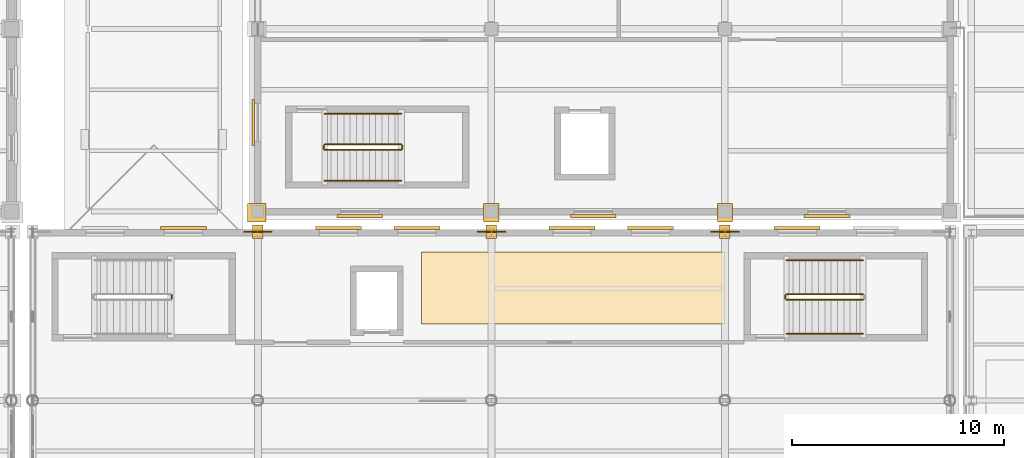
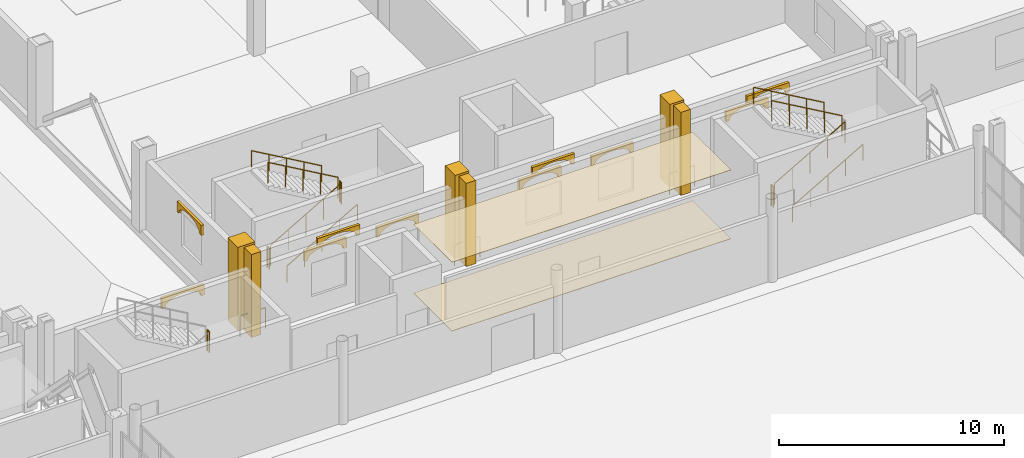
# One storey, part 146 of 156: 18 coverings, 15 railings.
"""IFC4 building model written with IfcOpenShell, lengths in metres."""

import ifcopenshell
import ifcopenshell.guid

model = None  # the IFC model being written
_history = None  # IfcOwnerHistory: only IFC2X3 demands one
_inside = {}  # id of a spatial element -> (the spatial element, [elements in it])
_under = {}  # id of a project, library or spatial element -> (it, [spatial elements below it])
_declared = {}  # id of a project -> (the project, [libraries it declares])
_typed = {}  # id of a type object -> (the type object, [elements of that type])
_made_of = {}  # id of a material, layer set ... -> (it, [elements and type objects made of it])


def new_model(schema):
    """Start an empty IFC model of exactly this schema.

    Asked for "IFC4X3", IfcOpenShell would pick the latest addendum, in which some entities
    have other attributes; the version numbers below select the first issue.
    IFC2X3 requires an IfcOwnerHistory on every rooted entity: one is made here for all.
    """
    global model, _history
    if schema == "IFC4X3":
        model = ifcopenshell.file(schema_version=(4, 3, 0, 0))
    else:
        model = ifcopenshell.file(schema=schema)
    _inside.clear()
    _under.clear()
    _declared.clear()
    _typed.clear()
    _made_of.clear()
    _history = None
    if model.schema == "IFC2X3":
        org = make("IfcOrganization", Name="unknown")
        user = make(
            "IfcPersonAndOrganization",
            ThePerson=make("IfcPerson", FamilyName="unknown"),
            TheOrganization=org,
        )
        app = make(
            "IfcApplication",
            ApplicationDeveloper=org,
            Version="unknown",
            ApplicationFullName="unknown",
            ApplicationIdentifier="unknown",
        )
        _history = make(
            "IfcOwnerHistory",
            OwningUser=user,
            OwningApplication=app,
            ChangeAction="ADDED",
            CreationDate=0,
        )
    return model


def make(cls, **values):
    """One entity of the class cls with the attributes given. An attribute that is None is left unset."""
    return model.create_entity(
        cls, **{name: value for name, value in values.items() if value is not None}
    )


def rooted(cls, **values):
    """An entity with a GlobalId (a new one), such as an element, a storey or a relation."""
    return make(cls, GlobalId=ifcopenshell.guid.new(), OwnerHistory=_history, **values)


def si_unit(unit_type, name, prefix=None):
    """IfcSIUnit, for example si_unit("LENGTHUNIT", "METRE", prefix="MILLI")."""
    return make("IfcSIUnit", UnitType=unit_type, Prefix=prefix, Name=name)


def assignment(units):
    """IfcUnitAssignment: the units of a project."""
    return None if units is None else make("IfcUnitAssignment", Units=units)


def point(xyz):
    """IfcCartesianPoint."""
    return None if xyz is None else make("IfcCartesianPoint", Coordinates=xyz)


def direction(xyz):
    """IfcDirection."""
    return None if xyz is None else make("IfcDirection", DirectionRatios=xyz)


def frame(location, z_axis=None, x_axis=None):
    """IfcAxis2Placement3D, a coordinate frame: its origin and axes. An axis left out is left unset."""
    return make(
        "IfcAxis2Placement3D",
        Location=point(location),
        Axis=direction(z_axis),
        RefDirection=direction(x_axis),
    )


def frame_2d(location, x_axis=None):
    """IfcAxis2Placement2D, a coordinate frame in the plane: its origin and x axis."""
    return make(
        "IfcAxis2Placement2D", Location=point(location), RefDirection=direction(x_axis)
    )


def origin():
    """The frame at (0, 0, 0) with its axes left unset."""
    return frame((0.0, 0.0, 0.0))


def origin_2d():
    """The frame at (0, 0) in the plane with its x axis left unset."""
    return frame_2d((0.0, 0.0))


def place(relative_to, where):
    """IfcLocalPlacement: puts the frame where relative to a parent placement (None: the world)."""
    return make(
        "IfcLocalPlacement", PlacementRelTo=relative_to, RelativePlacement=where
    )


def context(
    kind, dimensions, precision=None, world=None, true_north=None, identifier=None
):
    """IfcGeometricRepresentationContext, for example the 3D "Model" context."""
    return make(
        "IfcGeometricRepresentationContext",
        ContextIdentifier=identifier,
        ContextType=kind,
        CoordinateSpaceDimension=dimensions,
        Precision=precision,
        WorldCoordinateSystem=world,
        TrueNorth=true_north,
    )


def subcontext(parent, identifier, kind, view, scale=None):
    """IfcGeometricRepresentationSubContext, for example "Body" below "Model"."""
    return make(
        "IfcGeometricRepresentationSubContext",
        ContextIdentifier=identifier,
        ContextType=kind,
        ParentContext=parent,
        TargetScale=scale,
        TargetView=view,
    )


def project(units=None, contexts=None):
    """IfcProject with its units and contexts."""
    return rooted(
        "IfcProject",
        Name="project",
        RepresentationContexts=contexts,
        UnitsInContext=assignment(units),
    )


def spatial(cls, under=None, at=None, **own):
    """A site, building, storey or space (cls), placed at a placement, below another one or the project."""
    s = rooted(cls, ObjectPlacement=at, **own)
    if under is not None:
        _under.setdefault(under.id(), (under, []))[1].append(s)
    return s


def polyline(points):
    """IfcPolyline through the points."""
    return make("IfcPolyline", Points=[point(p) for p in points])


def profile(cls, at=None, kind="AREA", **sizes):
    """A parametric profile (cls). Its sizes go by their IFC names, for example OverallWidth=200.0."""
    return make(cls, ProfileType=kind, Position=at, **sizes)


def rectangle(**sizes):
    """IfcRectangleProfileDef."""
    return profile("IfcRectangleProfileDef", **sizes)


def circle(**sizes):
    """IfcCircleProfileDef."""
    return profile("IfcCircleProfileDef", **sizes)


def outline(outer, holes=None, kind="AREA"):
    """IfcArbitraryClosedProfileDef: a profile drawn as a closed curve; with holes, ...WithVoids."""
    if holes is None:
        return make("IfcArbitraryClosedProfileDef", ProfileType=kind, OuterCurve=outer)
    return make(
        "IfcArbitraryProfileDefWithVoids",
        ProfileType=kind,
        OuterCurve=outer,
        InnerCurves=holes,
    )


def extrude(swept, where, along, depth):
    """IfcExtrudedAreaSolid: the profile swept, set in the frame where, extruded along a direction by depth."""
    return make(
        "IfcExtrudedAreaSolid",
        SweptArea=swept,
        Position=where,
        ExtrudedDirection=direction(along),
        Depth=depth,
    )


def shape(context_of_items, identifier, shape_type, items):
    """IfcShapeRepresentation: the items that make up one representation, for example the "Body"."""
    return make(
        "IfcShapeRepresentation",
        ContextOfItems=context_of_items,
        RepresentationIdentifier=identifier,
        RepresentationType=shape_type,
        Items=items,
    )


def material(Name=None, Category=None):
    """IfcMaterial."""
    return make("IfcMaterial", Name=Name, Category=Category)


def layer(
    of_material, thickness, ventilated=None, Name=None, Category=None, Priority=None
):
    """IfcMaterialLayer: one layer of a wall or slab, of a material (None: an air gap)."""
    return make(
        "IfcMaterialLayer",
        Material=of_material,
        LayerThickness=thickness,
        IsVentilated=ventilated,
        Name=Name,
        Category=Category,
        Priority=Priority,
    )


def layer_set(layers, Name=None):
    """IfcMaterialLayerSet."""
    return make("IfcMaterialLayerSet", MaterialLayers=layers, LayerSetName=Name)


def made_of(thing, what):
    """Note that an element or type object is made of a material, layer set ...; save() writes the relation."""
    if what is not None:
        _made_of.setdefault(what.id(), (what, []))[1].append(thing)
    return thing


def type_object(cls, material=None, **own):
    """A type object (cls), such as IfcWallType, which elements share."""
    return made_of(rooted(cls, **own), material)


def element(
    cls,
    number,
    at=None,
    inside=None,
    cuts=None,
    type_object=None,
    material=None,
    context=None,
    identifier="Body",
    shape_type=None,
    held_by="IfcProductDefinitionShape",
    body=None,
    shapes=None,
    **own,
):
    """One element of the class cls, such as IfcWall. Its Tag is "e" and its number.

    at: its placement. inside: the storey or other place that contains it. cuts: it is an
    opening in that element (IfcRelVoidsElement). A single representation is given by context,
    identifier, shape_type and body (its items); several are given by shapes. held_by: the class
    of the entity that holds the representations. save() writes the other relations.
    """
    e = rooted(cls, Tag="e%d" % number, ObjectPlacement=at, **own)
    if body is not None:
        shapes = [shape(context, identifier, shape_type, body)]
    if shapes is not None:
        e.Representation = make(held_by, Representations=shapes)
    if inside is not None:
        _inside.setdefault(inside.id(), (inside, []))[1].append(e)
    if cuts is not None:
        rooted(
            "IfcRelVoidsElement", RelatingBuildingElement=cuts, RelatedOpeningElement=e
        )
    if type_object is not None:
        _typed.setdefault(type_object.id(), (type_object, []))[1].append(e)
    return made_of(e, material)


def aggregate(whole, parts):
    """IfcRelAggregates: a whole, such as a stair, and the parts it consists of."""
    return rooted("IfcRelAggregates", RelatingObject=whole, RelatedObjects=parts)


def save(model, path):
    """Write the relations noted so far, then the file.

    IfcRelAggregates (storeys below a building ...), IfcRelContainedInSpatialStructure (elements
    in a storey), IfcRelDefinesByType, IfcRelAssociatesMaterial and IfcRelDeclares: one each for
    every whole, place, type object, material and project.
    """
    for whole, parts in _under.values():
        aggregate(whole, parts)
    for where, things in _inside.values():
        rooted(
            "IfcRelContainedInSpatialStructure",
            RelatedElements=things,
            RelatingStructure=where,
        )
    for kind, things in _typed.values():
        rooted("IfcRelDefinesByType", RelatedObjects=things, RelatingType=kind)
    for what, things in _made_of.values():
        rooted("IfcRelAssociatesMaterial", RelatedObjects=things, RelatingMaterial=what)
    for by, libraries in _declared.values():
        rooted("IfcRelDeclares", RelatingContext=by, RelatedDefinitions=libraries)
    model.write(path)


model = new_model("IFC4")

# Units and contexts
model_context = context("Model", 3, precision=1e-05, world=origin(), true_north=direction((0.0, 1.0)))
body_context = subcontext(model_context, "Body", "Model", "MODEL_VIEW")
ifc_project = project(units=[si_unit("LENGTHUNIT", "METRE"), si_unit("AREAUNIT", "SQUARE_METRE"), si_unit("VOLUMEUNIT", "CUBIC_METRE"), si_unit("PLANEANGLEUNIT", "RADIAN"), si_unit("MASSUNIT", "GRAM", prefix="KILO")], contexts=[model_context])

# Site, building, storey
site_placement = place(None, origin())
site = spatial("IfcSite", under=ifc_project, at=site_placement, CompositionType="ELEMENT")
building_placement = place(site_placement, origin())
building = spatial("IfcBuilding", under=site, at=building_placement, Name="Caurita Quay Ferry Terminal", CompositionType="ELEMENT")
storey_placement = place(building_placement, frame((0.0, 0.0, 5.39990234375)))
storey = spatial("IfcBuildingStorey", under=building, at=storey_placement, Name="L01", CompositionType="ELEMENT", Elevation=5.39990234375)

# Coverings
ifc_material_1 = material(Name="Acoustic mineral fibre tile", Category="finish")
ifc_layer_1 = layer(ifc_material_1, 0.02001953125, Name="Acoustic mineral-fibre suspended ceiling 20 mm")
ifc_layer_set_1 = layer_set([ifc_layer_1], Name="Acoustic mineral fibre tile")
covering_type_1 = type_object("IfcCoveringType", Name="COV-CEIL-020", PredefinedType="CEILING", material=ifc_layer_set_1)
covering_1_placement = place(storey_placement, frame((0.0, 0.0, 3.726318359375)))
element("IfcCovering", 1, at=covering_1_placement, inside=storey, type_object=covering_type_1, Name="Immigration Secondary Interview Offices Acoustic Ceiling", PredefinedType="CEILING", context=body_context, shape_type="SweptSolid", body=[
    extrude(outline(polyline([(106.89990234375, 66.300048828125), (121.199951171875, 66.300048828125), (121.199951171875, 69.699951171875), (106.89990234375, 69.699951171875), (106.89990234375, 66.300048828125)])), origin(), (0.0, 0.0, 1.0), 0.019775390625),
])
ifc_material_2 = material(Name="Polished marine terrazzo tile", Category="finish")
ifc_layer_2 = layer(ifc_material_2, 0.02490234375, Name="Polished marine terrazzo floor finish 25 mm")
ifc_layer_set_2 = layer_set([ifc_layer_2], Name="Polished marine terrazzo tile")
covering_type_2 = type_object("IfcCoveringType", Name="COV-FLR-025", PredefinedType="FLOORING", material=ifc_layer_set_2)
covering_2_placement = place(storey_placement, origin())
element("IfcCovering", 2, at=covering_2_placement, inside=storey, type_object=covering_type_2, Name="Immigration Secondary Interview Offices Terrazzo Flooring", PredefinedType="FLOORING", context=body_context, shape_type="SweptSolid", body=[
    extrude(outline(polyline([(106.89990234375, 66.300048828125), (121.199951171875, 66.300048828125), (121.199951171875, 69.699951171875), (106.89990234375, 69.699951171875), (106.89990234375, 66.300048828125)])), origin(), (0.0, 0.0, 1.0), 0.025146484375),
])
ifc_material_3 = material(Name="Warm-white lime stucco masonry", Category="masonry")
ifc_layer_3 = layer(ifc_material_3, 0.179931640625, Name="Classical engaged lime-stucco facade pilaster cladding 180 mm")
ifc_layer_set_3 = layer_set([ifc_layer_3], Name="Warm-white lime stucco masonry")
covering_type_3 = type_object("IfcCoveringType", Name="COV-PIL-CLD", PredefinedType="CLADDING", material=ifc_layer_set_3)
for number, where, z_axis, x_axis, name in (
    (3, (99.199951171875, 70.64990234375, 0.0), (0.0, 0.0, 1.0), (1.0, 0.0, 0.0), "L01 Classical Engaged Pilaster 0094"),
    (4, (110.199951171875, 70.64990234375, 0.0), (0.0, 0.0, 1.0), (1.0, 0.0, 0.0), "L01 Classical Engaged Pilaster 0101"),
    (5, (121.199951171875, 70.64990234375, 0.0), (0.0, 0.0, 1.0), (1.0, 0.0, 0.0), "L01 Classical Engaged Pilaster 0108"),
):
    element("IfcCovering", number, at=place(storey_placement, frame(where, z_axis=z_axis, x_axis=x_axis)), inside=storey, type_object=covering_type_3, Name=name, PredefinedType="CLADDING", context=body_context, shape_type="SweptSolid", body=[
        extrude(rectangle(XDim=0.492919921875, YDim=0.64794921875, at=origin_2d()), origin(), (0.0, 0.0, 1.0), 4.5),
    ])
covering_3_placement = place(storey_placement, frame((99.14990234375, 71.550048828125, 0.0), z_axis=(0.0, 0.0, 1.0), x_axis=(1.0, 0.0, 0.0)))
element("IfcCovering", 6, at=covering_3_placement, inside=storey, type_object=covering_type_3, Name="L01 Classical Engaged Pilaster 0209", PredefinedType="CLADDING", context=body_context, shape_type="SweptSolid", body=[
    extrude(rectangle(XDim=0.8798828125, YDim=0.8798828125, at=origin_2d()), origin(), (0.0, 0.0, 1.0), 4.5),
])
for number, where, z_axis, x_axis, name in (
    (7, (110.199951171875, 71.550048828125, 0.0), (0.0, 0.0, 1.0), (1.0, 0.0, 0.0), "L01 Classical Engaged Pilaster 0221"),
    (8, (121.199951171875, 71.550048828125, 0.0), (0.0, 0.0, 1.0), (1.0, 0.0, 0.0), "L01 Classical Engaged Pilaster 0225"),
):
    element("IfcCovering", number, at=place(storey_placement, frame(where, z_axis=z_axis, x_axis=x_axis)), inside=storey, type_object=covering_type_3, Name=name, PredefinedType="CLADDING", context=body_context, shape_type="SweptSolid", body=[
        extrude(rectangle(XDim=0.719970703125, YDim=0.8798828125, at=origin_2d()), origin(), (0.0, 0.0, 1.0), 4.5),
    ])
ifc_material_4 = material(Name="Coral stone ashlar cladding", Category="masonry")
ifc_layer_4 = layer(ifc_material_4, 0.139892578125, Name="Spanish Colonial semicircular arched window surround 140 mm")
ifc_layer_set_4 = layer_set([ifc_layer_4], Name="Coral stone ashlar cladding")
covering_type_4 = type_object("IfcCoveringType", Name="COV-WHD-MLD", PredefinedType="MOLDING", material=ifc_layer_set_4)
for number, where, z_axis, x_axis, name in (
    (9, (96.780029296875, 70.81494140625, 2.830078125), (0.0, 0.0, 1.0), (-1.0, 0.0, 0.0), "L01 Arched Window Surround 153"),
    (10, (107.780029296875, 70.81494140625, 2.830078125), (0.0, 0.0, 1.0), (-1.0, 0.0, 0.0), "L01 Arched Window Surround 155"),
):
    element("IfcCovering", number, at=place(storey_placement, frame(where, z_axis=z_axis, x_axis=x_axis)), inside=storey, type_object=covering_type_4, Name=name, PredefinedType="MOLDING", context=body_context, shape_type="SweptSolid", body=[
        extrude(outline(polyline([(0.0, 0.0), (0.159912109375, 0.0), (0.159912109375, 0.0400390625), (0.205078125, 0.1728515625), (0.335693359375, 0.292724609375), (0.539306640625, 0.387939453125), (0.795654296875, 0.448974609375), (1.080078125, 0.469970703125), (1.3642578125, 0.448974609375), (1.62060546875, 0.387939453125), (1.82421875, 0.292724609375), (1.954833984375, 0.1728515625), (2.0, 0.0400390625), (2.0, 0.0), (2.159912109375, 0.0), (2.159912109375, 0.550048828125), (0.0, 0.550048828125), (0.0, 0.0)])), frame((0.0, 0.06982421875, 0.0), z_axis=(0.0, -1.0, 0.0), x_axis=(1.0, 0.0, 0.0)), (0.0, 0.0, 1.0), 0.139892578125),
    ])
covering_4_placement = place(storey_placement, frame((104.080078125, 70.81494140625, 2.830078125), z_axis=(0.0, 0.0, 1.0), x_axis=(-1.0, 0.0, 0.0)))
element("IfcCovering", 11, at=covering_4_placement, inside=storey, type_object=covering_type_4, Name="L01 Arched Window Surround 156", PredefinedType="MOLDING", context=body_context, shape_type="SweptSolid", body=[
    extrude(outline(polyline([(0.0, 0.0), (0.159912109375, 0.0), (0.159912109375, 0.0400390625), (0.205078125, 0.1728515625), (0.335693359375, 0.292724609375), (0.539306640625, 0.387939453125), (0.795654296875, 0.448974609375), (1.080078125, 0.469970703125), (1.364501953125, 0.448974609375), (1.620849609375, 0.387939453125), (1.824462890625, 0.292724609375), (1.955078125, 0.1728515625), (2.000244140625, 0.0400390625), (2.000244140625, 0.0), (2.16015625, 0.0), (2.16015625, 0.550048828125), (0.0, 0.550048828125), (0.0, 0.0)])), frame((0.0, 0.06982421875, 0.0), z_axis=(0.0, -1.0, 0.0), x_axis=(1.0, 0.0, 0.0)), (0.0, 0.0, 1.0), 0.139892578125),
])
covering_5_placement = place(storey_placement, frame((118.780029296875, 70.81494140625, 2.830078125), z_axis=(0.0, 0.0, 1.0), x_axis=(-1.0, 0.0, 0.0)))
element("IfcCovering", 12, at=covering_5_placement, inside=storey, type_object=covering_type_4, Name="L01 Arched Window Surround 157", PredefinedType="MOLDING", context=body_context, shape_type="SweptSolid", body=[
    extrude(outline(polyline([(0.0, 0.0), (0.159912109375, 0.0), (0.159912109375, 0.0400390625), (0.205078125, 0.1728515625), (0.335693359375, 0.292724609375), (0.539306640625, 0.387939453125), (0.795654296875, 0.448974609375), (1.080078125, 0.469970703125), (1.3642578125, 0.448974609375), (1.62060546875, 0.387939453125), (1.82421875, 0.292724609375), (1.954833984375, 0.1728515625), (2.0, 0.0400390625), (2.0, 0.0), (2.159912109375, 0.0), (2.159912109375, 0.550048828125), (0.0, 0.550048828125), (0.0, 0.0)])), frame((0.0, 0.06982421875, 0.0), z_axis=(0.0, -1.0, 0.0), x_axis=(1.0, 0.0, 0.0)), (0.0, 0.0, 1.0), 0.139892578125),
])
covering_6_placement = place(storey_placement, frame((115.080078125, 70.81494140625, 2.830078125), z_axis=(0.0, 0.0, 1.0), x_axis=(-1.0, 0.0, 0.0)))
element("IfcCovering", 13, at=covering_6_placement, inside=storey, type_object=covering_type_4, Name="L01 Arched Window Surround 158", PredefinedType="MOLDING", context=body_context, shape_type="SweptSolid", body=[
    extrude(outline(polyline([(0.0, 0.0), (0.159912109375, 0.0), (0.159912109375, 0.0400390625), (0.205078125, 0.1728515625), (0.335693359375, 0.292724609375), (0.539306640625, 0.387939453125), (0.795654296875, 0.448974609375), (1.080078125, 0.469970703125), (1.364501953125, 0.448974609375), (1.620849609375, 0.387939453125), (1.824462890625, 0.292724609375), (1.955078125, 0.1728515625), (2.000244140625, 0.0400390625), (2.000244140625, 0.0), (2.16015625, 0.0), (2.16015625, 0.550048828125), (0.0, 0.550048828125), (0.0, 0.0)])), frame((0.0, 0.06982421875, 0.0), z_axis=(0.0, -1.0, 0.0), x_axis=(1.0, 0.0, 0.0)), (0.0, 0.0, 1.0), 0.139892578125),
])
for number, where, z_axis, x_axis, name in (
    (14, (125.679931640625, 70.81494140625, 2.830078125), (0.0, 0.0, 1.0), (-1.0, 0.0, 0.0), "L01 Arched Window Surround 160"),
    (15, (98.985107421875, 76.8798828125, 2.880126953125), (0.0, 0.0, 1.0), (0.0, -1.0, 0.0), "L01 Arched Window Surround 206"),
):
    element("IfcCovering", number, at=place(storey_placement, frame(where, z_axis=z_axis, x_axis=x_axis)), inside=storey, type_object=covering_type_4, Name=name, PredefinedType="MOLDING", context=body_context, shape_type="SweptSolid", body=[
        extrude(outline(polyline([(0.0, 0.0), (0.159912109375, 0.0), (0.159912109375, 0.0400390625), (0.205078125, 0.1728515625), (0.335693359375, 0.292724609375), (0.539306640625, 0.387939453125), (0.795654296875, 0.448974609375), (1.080078125, 0.469970703125), (1.3642578125, 0.448974609375), (1.62060546875, 0.387939453125), (1.82421875, 0.292724609375), (1.954833984375, 0.1728515625), (2.0, 0.0400390625), (2.0, 0.0), (2.159912109375, 0.0), (2.159912109375, 0.550048828125), (0.0, 0.550048828125), (0.0, 0.0)])), frame((0.0, 0.06982421875, 0.0), z_axis=(0.0, -1.0, 0.0), x_axis=(1.0, 0.0, 0.0)), (0.0, 0.0, 1.0), 0.139892578125),
    ])
for number, where, z_axis, x_axis, name in (
    (16, (102.919921875, 71.385009765625, 2.830078125), (0.0, 0.0, 1.0), (1.0, 0.0, 0.0), "L01 Arched Window Surround 212"),
    (17, (113.919921875, 71.385009765625, 2.830078125), (0.0, 0.0, 1.0), (1.0, 0.0, 0.0), "L01 Arched Window Surround 213"),
    (18, (124.919921875, 71.385009765625, 2.830078125), (0.0, 0.0, 1.0), (1.0, 0.0, 0.0), "L01 Arched Window Surround 214"),
):
    element("IfcCovering", number, at=place(storey_placement, frame(where, z_axis=z_axis, x_axis=x_axis)), inside=storey, type_object=covering_type_4, Name=name, PredefinedType="MOLDING", context=body_context, shape_type="SweptSolid", body=[
        extrude(outline(polyline([(0.0, 0.0), (0.159912109375, 0.0), (0.159912109375, 0.0400390625), (0.205078125, 0.1728515625), (0.335693359375, 0.292724609375), (0.539306640625, 0.387939453125), (0.795654296875, 0.448974609375), (1.080078125, 0.469970703125), (1.364501953125, 0.448974609375), (1.620849609375, 0.387939453125), (1.824462890625, 0.292724609375), (1.955078125, 0.1728515625), (2.000244140625, 0.0400390625), (2.000244140625, 0.0), (2.16015625, 0.0), (2.16015625, 0.550048828125), (0.0, 0.550048828125), (0.0, 0.0)])), frame((0.0, 0.06982421875, 0.0), z_axis=(0.0, -1.0, 0.0), x_axis=(1.0, 0.0, 0.0)), (0.0, 0.0, 1.0), 0.139892578125),
    ])

# Railings
ifc_material_5 = material(Name="Bronze architectural metalwork", Category="metal")
railing_type_1 = type_object("IfcRailingType", Name="RL-HND-090", PredefinedType="HANDRAIL", material=ifc_material_5)
railing_1_placement = place(storey_placement, frame((124.10009765625, 65.85009765625, 0.173095703125)))
element("IfcRailing", 19, at=railing_1_placement, inside=storey, type_object=railing_type_1, Name="L01 ST-09 stair handrail 1", PredefinedType="HANDRAIL", context=body_context, shape_type="SweptSolid", body=[
    extrude(circle(Radius=0.02392578125, at=origin_2d()), frame((0.0, 0.0, 0.8759765625), z_axis=(0.866178740119, 0.0, 0.499734319579), x_axis=(0.0, 1.0, 0.0)), (0.0, 0.0, 1.0), 4.156005859375),
    extrude(circle(Radius=0.02099609375, at=origin_2d()), origin(), (0.0, 0.0, 1.0), 0.851806640625),
    extrude(circle(Radius=0.02099609375, at=origin_2d()), frame((0.89990234375, 0.0, 0.519287109375)), (0.0, 0.0, 1.0), 0.851806640625),
    extrude(circle(Radius=0.02099609375, at=origin_2d()), frame((1.7998046875, 0.0, 1.03857421875)), (0.0, 0.0, 1.0), 0.851806640625),
    extrude(circle(Radius=0.02099609375, at=origin_2d()), frame((2.699951171875, 0.0, 1.5576171875)), (0.0, 0.0, 1.0), 0.851806640625),
    extrude(circle(Radius=0.02099609375, at=origin_2d()), frame((3.599853515625, 0.0, 2.076904296875)), (0.0, 0.0, 1.0), 0.851806640625),
])
railing_2_placement = place(storey_placement, frame((127.699951171875, 69.31005859375, 2.423095703125)))
element("IfcRailing", 20, at=railing_2_placement, inside=storey, type_object=railing_type_1, Name="L01 ST-09 stair handrail 2", PredefinedType="HANDRAIL", context=body_context, shape_type="SweptSolid", body=[
    extrude(circle(Radius=0.02392578125, at=origin_2d()), frame((0.0, 0.0, 0.8759765625), z_axis=(-0.866178740119, 0.0, 0.499734319579), x_axis=(0.0, -1.0, 0.0)), (0.0, 0.0, 1.0), 4.156005859375),
    extrude(circle(Radius=0.02099609375, at=origin_2d()), origin(), (0.0, 0.0, 1.0), 0.851806640625),
    extrude(circle(Radius=0.02099609375, at=origin_2d()), frame((-0.89990234375, 0.0, 0.519287109375)), (0.0, 0.0, 1.0), 0.851806640625),
    extrude(circle(Radius=0.02099609375, at=origin_2d()), frame((-1.7998046875, 0.0, 1.03857421875)), (0.0, 0.0, 1.0), 0.851806640625),
    extrude(circle(Radius=0.02099609375, at=origin_2d()), frame((-2.699951171875, 0.0, 1.5576171875)), (0.0, 0.0, 1.0), 0.851806640625),
    extrude(circle(Radius=0.02099609375, at=origin_2d()), frame((-3.599853515625, 0.0, 2.076904296875)), (0.0, 0.0, 1.0), 0.851806640625),
])
railing_3_placement = place(storey_placement, frame((102.35009765625, 73.050048828125, 0.173095703125)))
element("IfcRailing", 21, at=railing_3_placement, inside=storey, type_object=railing_type_1, Name="L01 ST-12 stair handrail 1", PredefinedType="HANDRAIL", context=body_context, shape_type="SweptSolid", body=[
    extrude(circle(Radius=0.02392578125, at=origin_2d()), frame((0.0, 0.0, 0.8759765625), z_axis=(0.866178740119, 0.0, 0.499734319579), x_axis=(0.0, 1.0, 0.0)), (0.0, 0.0, 1.0), 4.156005859375),
    extrude(circle(Radius=0.02099609375, at=origin_2d()), origin(), (0.0, 0.0, 1.0), 0.851806640625),
    extrude(circle(Radius=0.02099609375, at=origin_2d()), frame((0.89990234375, 0.0, 0.519287109375)), (0.0, 0.0, 1.0), 0.851806640625),
    extrude(circle(Radius=0.02099609375, at=origin_2d()), frame((1.7998046875, 0.0, 1.03857421875)), (0.0, 0.0, 1.0), 0.851806640625),
    extrude(circle(Radius=0.02099609375, at=origin_2d()), frame((2.699951171875, 0.0, 1.5576171875)), (0.0, 0.0, 1.0), 0.851806640625),
    extrude(circle(Radius=0.02099609375, at=origin_2d()), frame((3.599853515625, 0.0, 2.076904296875)), (0.0, 0.0, 1.0), 0.851806640625),
])
railing_4_placement = place(storey_placement, frame((105.949951171875, 76.2099609375, 2.423095703125)))
element("IfcRailing", 22, at=railing_4_placement, inside=storey, type_object=railing_type_1, Name="L01 ST-12 stair handrail 2", PredefinedType="HANDRAIL", context=body_context, shape_type="SweptSolid", body=[
    extrude(circle(Radius=0.02392578125, at=origin_2d()), frame((0.0, 0.0, 0.8759765625), z_axis=(-0.866178740119, 0.0, 0.499734319579), x_axis=(0.0, -1.0, 0.0)), (0.0, 0.0, 1.0), 4.156005859375),
    extrude(circle(Radius=0.02099609375, at=origin_2d()), origin(), (0.0, 0.0, 1.0), 0.851806640625),
    extrude(circle(Radius=0.02099609375, at=origin_2d()), frame((-0.89990234375, 0.0, 0.519287109375)), (0.0, 0.0, 1.0), 0.851806640625),
    extrude(circle(Radius=0.02099609375, at=origin_2d()), frame((-1.7998046875, 0.0, 1.03857421875)), (0.0, 0.0, 1.0), 0.851806640625),
    extrude(circle(Radius=0.02099609375, at=origin_2d()), frame((-2.699951171875, 0.0, 1.5576171875)), (0.0, 0.0, 1.0), 0.851806640625),
    extrude(circle(Radius=0.02099609375, at=origin_2d()), frame((-3.599853515625, 0.0, 2.076904296875)), (0.0, 0.0, 1.0), 0.851806640625),
])
railing_type_2 = type_object("IfcRailingType", Name="RL-REJA-115", PredefinedType="BALUSTRADE", material=ifc_material_5)
for number, where, name in (
    (23, (98.550048828125, 70.64990234375, 0.0), "L01 V2 Grid11 Pier Guard (105)"),
    (24, (109.550048828125, 70.64990234375, 0.0), "L01 V2 Grid12 Pier Guard (107)"),
    (25, (120.550048828125, 70.64990234375, 0.0), "L01 V2 Grid13 Pier Guard (109)"),
):
    element("IfcRailing", number, at=place(storey_placement, frame(where)), inside=storey, type_object=railing_type_2, Name=name, PredefinedType="BALUSTRADE", context=body_context, shape_type="SweptSolid", body=[
        extrude(circle(Radius=0.02392578125, at=origin_2d()), frame((0.0, 0.0, 1.1259765625), z_axis=(1.0, 0.0, 0.0), x_axis=(0.0, 1.0, 0.0)), (0.0, 0.0, 1.0), 1.300048828125),
        extrude(circle(Radius=0.02099609375, at=origin_2d()), origin(), (0.0, 0.0, 1.0), 1.101806640625),
        extrude(circle(Radius=0.02099609375, at=origin_2d()), frame((0.64990234375, 0.0, 0.0)), (0.0, 0.0, 1.0), 1.101806640625),
        extrude(circle(Radius=0.02099609375, at=origin_2d()), frame((1.300048828125, 0.0, 0.0)), (0.0, 0.0, 1.0), 1.101806640625),
    ])
railing_5_placement = place(storey_placement, frame((95.14990234375, 67.5, 2.25)))
element("IfcRailing", 26, at=railing_5_placement, inside=storey, type_object=railing_type_2, Name="L01 ST-08 stair guard 2", PredefinedType="BALUSTRADE", context=body_context, shape_type="SweptSolid", body=[
    extrude(circle(Radius=0.02392578125, at=origin_2d()), frame((0.0, 0.0, 1.1259765625), z_axis=(0.0, 1.0, 0.0), x_axis=(-1.0, 0.0, 0.0)), (0.0, 0.0, 1.0), 0.159912109375),
    extrude(circle(Radius=0.02099609375, at=origin_2d()), origin(), (0.0, 0.0, 1.0), 1.101806640625),
    extrude(circle(Radius=0.02099609375, at=origin_2d()), frame((0.0, 0.159912109375, 0.0)), (0.0, 0.0, 1.0), 1.101806640625),
])
railing_6_placement = place(storey_placement, frame((124.10009765625, 67.449951171875, 0.173095703125)))
element("IfcRailing", 27, at=railing_6_placement, inside=storey, type_object=railing_type_2, Name="L01 ST-09 stair guard 1", PredefinedType="BALUSTRADE", context=body_context, shape_type="SweptSolid", body=[
    extrude(circle(Radius=0.02392578125, at=origin_2d()), frame((0.0, 0.0, 1.1259765625), z_axis=(0.866178740119, 0.0, 0.499734319579), x_axis=(0.0, 1.0, 0.0)), (0.0, 0.0, 1.0), 4.156005859375),
    extrude(circle(Radius=0.02099609375, at=origin_2d()), origin(), (0.0, 0.0, 1.0), 1.101806640625),
    extrude(circle(Radius=0.02099609375, at=origin_2d()), frame((0.89990234375, 0.0, 0.519287109375)), (0.0, 0.0, 1.0), 1.101806640625),
    extrude(circle(Radius=0.02099609375, at=origin_2d()), frame((1.7998046875, 0.0, 1.03857421875)), (0.0, 0.0, 1.0), 1.101806640625),
    extrude(circle(Radius=0.02099609375, at=origin_2d()), frame((2.699951171875, 0.0, 1.5576171875)), (0.0, 0.0, 1.0), 1.101806640625),
    extrude(circle(Radius=0.02099609375, at=origin_2d()), frame((3.599853515625, 0.0, 2.076904296875)), (0.0, 0.0, 1.0), 1.101806640625),
])
railing_7_placement = place(storey_placement, frame((127.699951171875, 67.7099609375, 2.423095703125)))
element("IfcRailing", 28, at=railing_7_placement, inside=storey, type_object=railing_type_2, Name="L01 ST-09 stair guard 3", PredefinedType="BALUSTRADE", context=body_context, shape_type="SweptSolid", body=[
    extrude(circle(Radius=0.02392578125, at=origin_2d()), frame((0.0, 0.0, 1.1259765625), z_axis=(-0.866178740119, 0.0, 0.499734319579), x_axis=(0.0, -1.0, 0.0)), (0.0, 0.0, 1.0), 4.156005859375),
    extrude(circle(Radius=0.02099609375, at=origin_2d()), origin(), (0.0, 0.0, 1.0), 1.101806640625),
    extrude(circle(Radius=0.02099609375, at=origin_2d()), frame((-0.89990234375, 0.0, 0.519287109375)), (0.0, 0.0, 1.0), 1.101806640625),
    extrude(circle(Radius=0.02099609375, at=origin_2d()), frame((-1.7998046875, 0.0, 1.03857421875)), (0.0, 0.0, 1.0), 1.101806640625),
    extrude(circle(Radius=0.02099609375, at=origin_2d()), frame((-2.699951171875, 0.0, 1.5576171875)), (0.0, 0.0, 1.0), 1.101806640625),
    extrude(circle(Radius=0.02099609375, at=origin_2d()), frame((-3.599853515625, 0.0, 2.076904296875)), (0.0, 0.0, 1.0), 1.101806640625),
])
railing_8_placement = place(storey_placement, frame((124.050048828125, 67.5, 0.0)))
element("IfcRailing", 29, at=railing_8_placement, inside=storey, type_object=railing_type_2, Name="L01 ST-09 stair guard 4", PredefinedType="BALUSTRADE", context=body_context, shape_type="SweptSolid", body=[
    extrude(circle(Radius=0.02392578125, at=origin_2d()), frame((0.0, 0.0, 1.1259765625), z_axis=(0.0, 1.0, 0.0), x_axis=(-1.0, 0.0, 0.0)), (0.0, 0.0, 1.0), 0.159912109375),
    extrude(circle(Radius=0.02099609375, at=origin_2d()), origin(), (0.0, 0.0, 1.0), 1.101806640625),
    extrude(circle(Radius=0.02099609375, at=origin_2d()), frame((0.0, 0.159912109375, 0.0)), (0.0, 0.0, 1.0), 1.101806640625),
])
railing_9_placement = place(storey_placement, frame((102.35009765625, 74.5, 0.173095703125)))
element("IfcRailing", 30, at=railing_9_placement, inside=storey, type_object=railing_type_2, Name="L01 ST-12 stair guard 1", PredefinedType="BALUSTRADE", context=body_context, shape_type="SweptSolid", body=[
    extrude(circle(Radius=0.02392578125, at=origin_2d()), frame((0.0, 0.0, 1.1259765625), z_axis=(0.866178740119, 0.0, 0.499734319579), x_axis=(0.0, 1.0, 0.0)), (0.0, 0.0, 1.0), 4.156005859375),
    extrude(circle(Radius=0.02099609375, at=origin_2d()), origin(), (0.0, 0.0, 1.0), 1.101806640625),
    extrude(circle(Radius=0.02099609375, at=origin_2d()), frame((0.89990234375, 0.0, 0.519287109375)), (0.0, 0.0, 1.0), 1.101806640625),
    extrude(circle(Radius=0.02099609375, at=origin_2d()), frame((1.7998046875, 0.0, 1.03857421875)), (0.0, 0.0, 1.0), 1.101806640625),
    extrude(circle(Radius=0.02099609375, at=origin_2d()), frame((2.699951171875, 0.0, 1.5576171875)), (0.0, 0.0, 1.0), 1.101806640625),
    extrude(circle(Radius=0.02099609375, at=origin_2d()), frame((3.599853515625, 0.0, 2.076904296875)), (0.0, 0.0, 1.0), 1.101806640625),
])
railing_10_placement = place(storey_placement, frame((106.0, 74.550048828125, 2.25)))
element("IfcRailing", 31, at=railing_10_placement, inside=storey, type_object=railing_type_2, Name="L01 ST-12 stair guard 2", PredefinedType="BALUSTRADE", context=body_context, shape_type="SweptSolid", body=[
    extrude(circle(Radius=0.02392578125, at=origin_2d()), frame((0.0, 0.0, 1.1259765625), z_axis=(0.0, 1.0, 0.0), x_axis=(-1.0, 0.0, 0.0)), (0.0, 0.0, 1.0), 0.159912109375),
    extrude(circle(Radius=0.02099609375, at=origin_2d()), origin(), (0.0, 0.0, 1.0), 1.101806640625),
    extrude(circle(Radius=0.02099609375, at=origin_2d()), frame((0.0, 0.159912109375, 0.0)), (0.0, 0.0, 1.0), 1.101806640625),
])
railing_11_placement = place(storey_placement, frame((105.949951171875, 74.760009765625, 2.423095703125)))
element("IfcRailing", 32, at=railing_11_placement, inside=storey, type_object=railing_type_2, Name="L01 ST-12 stair guard 3", PredefinedType="BALUSTRADE", context=body_context, shape_type="SweptSolid", body=[
    extrude(circle(Radius=0.02392578125, at=origin_2d()), frame((0.0, 0.0, 1.1259765625), z_axis=(-0.866178740119, 0.0, 0.499734319579), x_axis=(0.0, -1.0, 0.0)), (0.0, 0.0, 1.0), 4.156005859375),
    extrude(circle(Radius=0.02099609375, at=origin_2d()), origin(), (0.0, 0.0, 1.0), 1.101806640625),
    extrude(circle(Radius=0.02099609375, at=origin_2d()), frame((-0.89990234375, 0.0, 0.519287109375)), (0.0, 0.0, 1.0), 1.101806640625),
    extrude(circle(Radius=0.02099609375, at=origin_2d()), frame((-1.7998046875, 0.0, 1.03857421875)), (0.0, 0.0, 1.0), 1.101806640625),
    extrude(circle(Radius=0.02099609375, at=origin_2d()), frame((-2.699951171875, 0.0, 1.5576171875)), (0.0, 0.0, 1.0), 1.101806640625),
    extrude(circle(Radius=0.02099609375, at=origin_2d()), frame((-3.599853515625, 0.0, 2.076904296875)), (0.0, 0.0, 1.0), 1.101806640625),
])
railing_12_placement = place(storey_placement, frame((102.300048828125, 74.550048828125, 0.0)))
element("IfcRailing", 33, at=railing_12_placement, inside=storey, type_object=railing_type_2, Name="L01 ST-12 stair guard 4", PredefinedType="BALUSTRADE", context=body_context, shape_type="SweptSolid", body=[
    extrude(circle(Radius=0.02392578125, at=origin_2d()), frame((0.0, 0.0, 1.1259765625), z_axis=(0.0, 1.0, 0.0), x_axis=(-1.0, 0.0, 0.0)), (0.0, 0.0, 1.0), 0.159912109375),
    extrude(circle(Radius=0.02099609375, at=origin_2d()), origin(), (0.0, 0.0, 1.0), 1.101806640625),
    extrude(circle(Radius=0.02099609375, at=origin_2d()), frame((0.0, 0.159912109375, 0.0)), (0.0, 0.0, 1.0), 1.101806640625),
])

save(model, "model.ifc")
